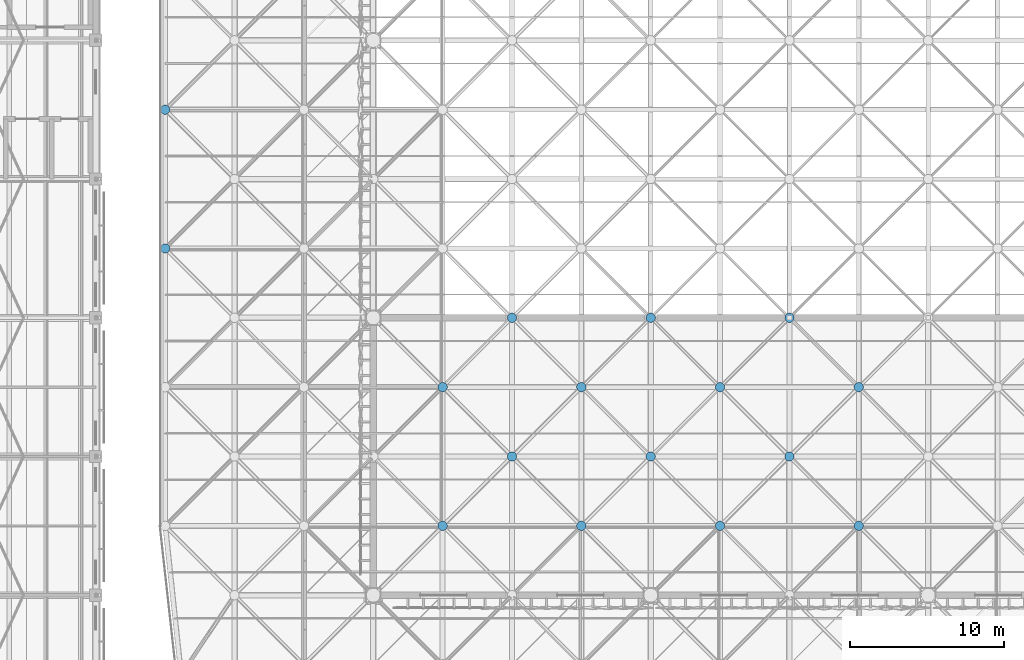
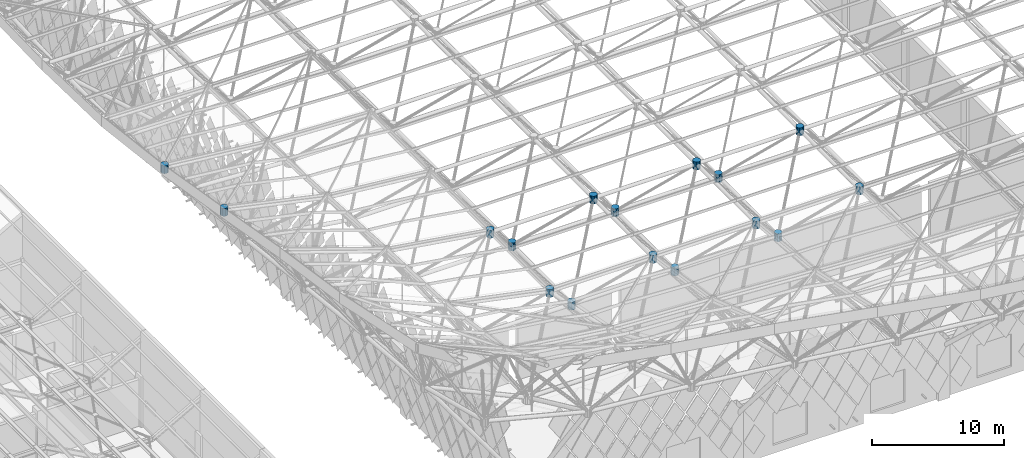
# One storey, part 290 of 437: 16 discrete accessories.
"""IFC4 building model written with IfcOpenShell, lengths in metres."""

import ifcopenshell
import ifcopenshell.guid

model = None  # the IFC model being written
_history = None  # IfcOwnerHistory: only IFC2X3 demands one
_inside = {}  # id of a spatial element -> (the spatial element, [elements in it])
_under = {}  # id of a project, library or spatial element -> (it, [spatial elements below it])
_declared = {}  # id of a project -> (the project, [libraries it declares])
_typed = {}  # id of a type object -> (the type object, [elements of that type])
_made_of = {}  # id of a material, layer set ... -> (it, [elements and type objects made of it])


def new_model(schema):
    """Start an empty IFC model of exactly this schema.

    Asked for "IFC4X3", IfcOpenShell would pick the latest addendum, in which some entities
    have other attributes; the version numbers below select the first issue.
    IFC2X3 requires an IfcOwnerHistory on every rooted entity: one is made here for all.
    """
    global model, _history
    if schema == "IFC4X3":
        model = ifcopenshell.file(schema_version=(4, 3, 0, 0))
    else:
        model = ifcopenshell.file(schema=schema)
    _inside.clear()
    _under.clear()
    _declared.clear()
    _typed.clear()
    _made_of.clear()
    _history = None
    if model.schema == "IFC2X3":
        org = make("IfcOrganization", Name="unknown")
        user = make(
            "IfcPersonAndOrganization",
            ThePerson=make("IfcPerson", FamilyName="unknown"),
            TheOrganization=org,
        )
        app = make(
            "IfcApplication",
            ApplicationDeveloper=org,
            Version="unknown",
            ApplicationFullName="unknown",
            ApplicationIdentifier="unknown",
        )
        _history = make(
            "IfcOwnerHistory",
            OwningUser=user,
            OwningApplication=app,
            ChangeAction="ADDED",
            CreationDate=0,
        )
    return model


def make(cls, **values):
    """One entity of the class cls with the attributes given. An attribute that is None is left unset."""
    return model.create_entity(
        cls, **{name: value for name, value in values.items() if value is not None}
    )


def rooted(cls, **values):
    """An entity with a GlobalId (a new one), such as an element, a storey or a relation."""
    return make(cls, GlobalId=ifcopenshell.guid.new(), OwnerHistory=_history, **values)


def si_unit(unit_type, name, prefix=None):
    """IfcSIUnit, for example si_unit("LENGTHUNIT", "METRE", prefix="MILLI")."""
    return make("IfcSIUnit", UnitType=unit_type, Prefix=prefix, Name=name)


def assignment(units):
    """IfcUnitAssignment: the units of a project."""
    return None if units is None else make("IfcUnitAssignment", Units=units)


def point(xyz):
    """IfcCartesianPoint."""
    return None if xyz is None else make("IfcCartesianPoint", Coordinates=xyz)


def direction(xyz):
    """IfcDirection."""
    return None if xyz is None else make("IfcDirection", DirectionRatios=xyz)


def frame(location, z_axis=None, x_axis=None):
    """IfcAxis2Placement3D, a coordinate frame: its origin and axes. An axis left out is left unset."""
    return make(
        "IfcAxis2Placement3D",
        Location=point(location),
        Axis=direction(z_axis),
        RefDirection=direction(x_axis),
    )


def origin():
    """The frame at (0, 0, 0) with its axes left unset."""
    return frame((0.0, 0.0, 0.0))


def place(relative_to, where):
    """IfcLocalPlacement: puts the frame where relative to a parent placement (None: the world)."""
    return make(
        "IfcLocalPlacement", PlacementRelTo=relative_to, RelativePlacement=where
    )


def context(
    kind, dimensions, precision=None, world=None, true_north=None, identifier=None
):
    """IfcGeometricRepresentationContext, for example the 3D "Model" context."""
    return make(
        "IfcGeometricRepresentationContext",
        ContextIdentifier=identifier,
        ContextType=kind,
        CoordinateSpaceDimension=dimensions,
        Precision=precision,
        WorldCoordinateSystem=world,
        TrueNorth=true_north,
    )


def subcontext(parent, identifier, kind, view, scale=None):
    """IfcGeometricRepresentationSubContext, for example "Body" below "Model"."""
    return make(
        "IfcGeometricRepresentationSubContext",
        ContextIdentifier=identifier,
        ContextType=kind,
        ParentContext=parent,
        TargetScale=scale,
        TargetView=view,
    )


def project(units=None, contexts=None):
    """IfcProject with its units and contexts."""
    return rooted(
        "IfcProject",
        Name="project",
        RepresentationContexts=contexts,
        UnitsInContext=assignment(units),
    )


def spatial(cls, under=None, at=None, **own):
    """A site, building, storey or space (cls), placed at a placement, below another one or the project."""
    s = rooted(cls, ObjectPlacement=at, **own)
    if under is not None:
        _under.setdefault(under.id(), (under, []))[1].append(s)
    return s


def polyline(points):
    """IfcPolyline through the points."""
    return make("IfcPolyline", Points=[point(p) for p in points])


def outline(outer, holes=None, kind="AREA"):
    """IfcArbitraryClosedProfileDef: a profile drawn as a closed curve; with holes, ...WithVoids."""
    if holes is None:
        return make("IfcArbitraryClosedProfileDef", ProfileType=kind, OuterCurve=outer)
    return make(
        "IfcArbitraryProfileDefWithVoids",
        ProfileType=kind,
        OuterCurve=outer,
        InnerCurves=holes,
    )


def extrude(swept, where, along, depth):
    """IfcExtrudedAreaSolid: the profile swept, set in the frame where, extruded along a direction by depth."""
    return make(
        "IfcExtrudedAreaSolid",
        SweptArea=swept,
        Position=where,
        ExtrudedDirection=direction(along),
        Depth=depth,
    )


def shape(context_of_items, identifier, shape_type, items):
    """IfcShapeRepresentation: the items that make up one representation, for example the "Body"."""
    return make(
        "IfcShapeRepresentation",
        ContextOfItems=context_of_items,
        RepresentationIdentifier=identifier,
        RepresentationType=shape_type,
        Items=items,
    )


def material(Name=None, Category=None):
    """IfcMaterial."""
    return make("IfcMaterial", Name=Name, Category=Category)


def made_of(thing, what):
    """Note that an element or type object is made of a material, layer set ...; save() writes the relation."""
    if what is not None:
        _made_of.setdefault(what.id(), (what, []))[1].append(thing)
    return thing


def type_object(cls, material=None, **own):
    """A type object (cls), such as IfcWallType, which elements share."""
    return made_of(rooted(cls, **own), material)


def element(
    cls,
    number,
    at=None,
    inside=None,
    cuts=None,
    type_object=None,
    material=None,
    context=None,
    identifier="Body",
    shape_type=None,
    held_by="IfcProductDefinitionShape",
    body=None,
    shapes=None,
    **own,
):
    """One element of the class cls, such as IfcWall. Its Tag is "e" and its number.

    at: its placement. inside: the storey or other place that contains it. cuts: it is an
    opening in that element (IfcRelVoidsElement). A single representation is given by context,
    identifier, shape_type and body (its items); several are given by shapes. held_by: the class
    of the entity that holds the representations. save() writes the other relations.
    """
    e = rooted(cls, Tag="e%d" % number, ObjectPlacement=at, **own)
    if body is not None:
        shapes = [shape(context, identifier, shape_type, body)]
    if shapes is not None:
        e.Representation = make(held_by, Representations=shapes)
    if inside is not None:
        _inside.setdefault(inside.id(), (inside, []))[1].append(e)
    if cuts is not None:
        rooted(
            "IfcRelVoidsElement", RelatingBuildingElement=cuts, RelatedOpeningElement=e
        )
    if type_object is not None:
        _typed.setdefault(type_object.id(), (type_object, []))[1].append(e)
    return made_of(e, material)


def aggregate(whole, parts):
    """IfcRelAggregates: a whole, such as a stair, and the parts it consists of."""
    return rooted("IfcRelAggregates", RelatingObject=whole, RelatedObjects=parts)


def save(model, path):
    """Write the relations noted so far, then the file.

    IfcRelAggregates (storeys below a building ...), IfcRelContainedInSpatialStructure (elements
    in a storey), IfcRelDefinesByType, IfcRelAssociatesMaterial and IfcRelDeclares: one each for
    every whole, place, type object, material and project.
    """
    for whole, parts in _under.values():
        aggregate(whole, parts)
    for where, things in _inside.values():
        rooted(
            "IfcRelContainedInSpatialStructure",
            RelatedElements=things,
            RelatingStructure=where,
        )
    for kind, things in _typed.values():
        rooted("IfcRelDefinesByType", RelatedObjects=things, RelatingType=kind)
    for what, things in _made_of.values():
        rooted("IfcRelAssociatesMaterial", RelatedObjects=things, RelatingMaterial=what)
    for by, libraries in _declared.values():
        rooted("IfcRelDeclares", RelatingContext=by, RelatedDefinitions=libraries)
    model.write(path)


model = new_model("IFC4")

# Units and contexts
model_context = context("Model", 3, precision=1e-05, world=origin(), true_north=direction((0.0, 1.0)))
body_context = subcontext(model_context, "Body", "Model", "MODEL_VIEW")
ifc_project = project(units=[si_unit("LENGTHUNIT", "METRE"), si_unit("AREAUNIT", "SQUARE_METRE"), si_unit("VOLUMEUNIT", "CUBIC_METRE"), si_unit("PLANEANGLEUNIT", "RADIAN"), si_unit("MASSUNIT", "GRAM", prefix="KILO")], contexts=[model_context])

# Site, building, storey
site_placement = place(None, origin())
site = spatial("IfcSite", under=ifc_project, at=site_placement, CompositionType="ELEMENT")
building_placement = place(site_placement, origin())
building = spatial("IfcBuilding", under=site, at=building_placement, Name="Opaline Strait Convention Centre", CompositionType="ELEMENT")
storey_placement = place(building_placement, frame((0.0, 0.0, 11.5)))
storey = spatial("IfcBuildingStorey", under=building, at=storey_placement, Name="L02", CompositionType="ELEMENT", Elevation=11.5)

# Discrete accessories
ifc_material = material(Name="Cast steel ZG300-500H (300 MPa)", Category="steel")
discrete_accessory_type = type_object("IfcDiscreteAccessoryType", Name="Space frame node hub D600", PredefinedType="USERDEFINED", material=ifc_material)
discrete_accessory_1_placement = place(storey_placement, frame((0.0, 0.0, 20.478759765625)))
element("IfcDiscreteAccessory", 1, at=discrete_accessory_1_placement, inside=storey, type_object=discrete_accessory_type, Name="Top node 1/5", ObjectType="NODE HUB", PredefinedType="USERDEFINED", context=body_context, shape_type="SweptSolid", body=[
    extrude(outline(polyline([(85.800048828125, 76.559814453125), (85.75439453125, 76.669921875), (85.669921875, 76.75439453125), (85.559814453125, 76.800048828125), (85.440185546875, 76.800048828125), (85.330078125, 76.75439453125), (85.24560546875, 76.669921875), (85.199951171875, 76.559814453125), (85.199951171875, 76.440185546875), (85.24560546875, 76.330078125), (85.330078125, 76.24560546875), (85.440185546875, 76.199951171875), (85.559814453125, 76.199951171875), (85.669921875, 76.24560546875), (85.75439453125, 76.330078125), (85.800048828125, 76.440185546875), (85.800048828125, 76.559814453125)])), origin(), (0.0, 0.0, 1.0), 0.719970703125),
])
discrete_accessory_2_placement = place(storey_placement, frame((0.0, 0.0, 18.951416015625)))
element("IfcDiscreteAccessory", 2, at=discrete_accessory_2_placement, inside=storey, type_object=discrete_accessory_type, Name="Top node 1/6", ObjectType="NODE HUB", PredefinedType="USERDEFINED", context=body_context, shape_type="SweptSolid", body=[
    extrude(outline(polyline([(85.800048828125, 85.559814453125), (85.75439453125, 85.669921875), (85.669921875, 85.75439453125), (85.559814453125, 85.800048828125), (85.440185546875, 85.800048828125), (85.330078125, 85.75439453125), (85.24560546875, 85.669921875), (85.199951171875, 85.559814453125), (85.199951171875, 85.440185546875), (85.24560546875, 85.330078125), (85.330078125, 85.24560546875), (85.440185546875, 85.199951171875), (85.559814453125, 85.199951171875), (85.669921875, 85.24560546875), (85.75439453125, 85.330078125), (85.800048828125, 85.440185546875), (85.800048828125, 85.559814453125)])), origin(), (0.0, 0.0, 1.0), 0.719970703125),
])
discrete_accessory_3_placement = place(storey_placement, frame((0.0, 0.0, 17.611572265625)))
element("IfcDiscreteAccessory", 3, at=discrete_accessory_3_placement, inside=storey, type_object=discrete_accessory_type, Name="Top node 3/3", ObjectType="NODE HUB", PredefinedType="USERDEFINED", context=body_context, shape_type="SweptSolid", body=[
    extrude(outline(polyline([(103.800048828125, 58.559814453125), (103.75439453125, 58.669921875), (103.669921875, 58.75439453125), (103.559814453125, 58.800048828125), (103.440185546875, 58.800048828125), (103.330078125, 58.75439453125), (103.24560546875, 58.669921875), (103.199951171875, 58.559814453125), (103.199951171875, 58.440185546875), (103.24560546875, 58.330078125), (103.330078125, 58.24560546875), (103.440185546875, 58.199951171875), (103.559814453125, 58.199951171875), (103.669921875, 58.24560546875), (103.75439453125, 58.330078125), (103.800048828125, 58.440185546875), (103.800048828125, 58.559814453125)])), origin(), (0.0, 0.0, 1.0), 0.719970703125),
])
discrete_accessory_4_placement = place(storey_placement, frame((0.0, 0.0, 17.611572265625)))
element("IfcDiscreteAccessory", 4, at=discrete_accessory_4_placement, inside=storey, type_object=discrete_accessory_type, Name="Top node 3/4", ObjectType="NODE HUB", PredefinedType="USERDEFINED", context=body_context, shape_type="SweptSolid", body=[
    extrude(outline(polyline([(103.800048828125, 67.559814453125), (103.75439453125, 67.669921875), (103.669921875, 67.75439453125), (103.559814453125, 67.800048828125), (103.440185546875, 67.800048828125), (103.330078125, 67.75439453125), (103.24560546875, 67.669921875), (103.199951171875, 67.559814453125), (103.199951171875, 67.440185546875), (103.24560546875, 67.330078125), (103.330078125, 67.24560546875), (103.440185546875, 67.199951171875), (103.559814453125, 67.199951171875), (103.669921875, 67.24560546875), (103.75439453125, 67.330078125), (103.800048828125, 67.440185546875), (103.800048828125, 67.559814453125)])), origin(), (0.0, 0.0, 1.0), 0.719970703125),
])
discrete_accessory_5_placement = place(storey_placement, frame((0.0, 0.0, 17.611572265625)))
element("IfcDiscreteAccessory", 5, at=discrete_accessory_5_placement, inside=storey, type_object=discrete_accessory_type, Name="Top node 4/3", ObjectType="NODE HUB", PredefinedType="USERDEFINED", context=body_context, shape_type="SweptSolid", body=[
    extrude(outline(polyline([(112.800048828125, 58.559814453125), (112.75439453125, 58.669921875), (112.669921875, 58.75439453125), (112.559814453125, 58.800048828125), (112.440185546875, 58.800048828125), (112.330078125, 58.75439453125), (112.24560546875, 58.669921875), (112.199951171875, 58.559814453125), (112.199951171875, 58.440185546875), (112.24560546875, 58.330078125), (112.330078125, 58.24560546875), (112.440185546875, 58.199951171875), (112.559814453125, 58.199951171875), (112.669921875, 58.24560546875), (112.75439453125, 58.330078125), (112.800048828125, 58.440185546875), (112.800048828125, 58.559814453125)])), origin(), (0.0, 0.0, 1.0), 0.719970703125),
])
discrete_accessory_6_placement = place(storey_placement, frame((0.0, 0.0, 17.611572265625)))
element("IfcDiscreteAccessory", 6, at=discrete_accessory_6_placement, inside=storey, type_object=discrete_accessory_type, Name="Top node 4/4", ObjectType="NODE HUB", PredefinedType="USERDEFINED", context=body_context, shape_type="SweptSolid", body=[
    extrude(outline(polyline([(112.800048828125, 67.559814453125), (112.75439453125, 67.669921875), (112.669921875, 67.75439453125), (112.559814453125, 67.800048828125), (112.440185546875, 67.800048828125), (112.330078125, 67.75439453125), (112.24560546875, 67.669921875), (112.199951171875, 67.559814453125), (112.199951171875, 67.440185546875), (112.24560546875, 67.330078125), (112.330078125, 67.24560546875), (112.440185546875, 67.199951171875), (112.559814453125, 67.199951171875), (112.669921875, 67.24560546875), (112.75439453125, 67.330078125), (112.800048828125, 67.440185546875), (112.800048828125, 67.559814453125)])), origin(), (0.0, 0.0, 1.0), 0.719970703125),
])
discrete_accessory_7_placement = place(storey_placement, frame((0.0, 0.0, 17.611572265625)))
element("IfcDiscreteAccessory", 7, at=discrete_accessory_7_placement, inside=storey, type_object=discrete_accessory_type, Name="Top node 5/3", ObjectType="NODE HUB", PredefinedType="USERDEFINED", context=body_context, shape_type="SweptSolid", body=[
    extrude(outline(polyline([(121.800048828125, 58.559814453125), (121.75439453125, 58.669921875), (121.669921875, 58.75439453125), (121.559814453125, 58.800048828125), (121.440185546875, 58.800048828125), (121.330078125, 58.75439453125), (121.24560546875, 58.669921875), (121.199951171875, 58.559814453125), (121.199951171875, 58.440185546875), (121.24560546875, 58.330078125), (121.330078125, 58.24560546875), (121.440185546875, 58.199951171875), (121.559814453125, 58.199951171875), (121.669921875, 58.24560546875), (121.75439453125, 58.330078125), (121.800048828125, 58.440185546875), (121.800048828125, 58.559814453125)])), origin(), (0.0, 0.0, 1.0), 0.719970703125),
])
discrete_accessory_8_placement = place(storey_placement, frame((0.0, 0.0, 17.611572265625)))
element("IfcDiscreteAccessory", 8, at=discrete_accessory_8_placement, inside=storey, type_object=discrete_accessory_type, Name="Top node 5/4", ObjectType="NODE HUB", PredefinedType="USERDEFINED", context=body_context, shape_type="SweptSolid", body=[
    extrude(outline(polyline([(121.800048828125, 67.559814453125), (121.75439453125, 67.669921875), (121.669921875, 67.75439453125), (121.559814453125, 67.800048828125), (121.440185546875, 67.800048828125), (121.330078125, 67.75439453125), (121.24560546875, 67.669921875), (121.199951171875, 67.559814453125), (121.199951171875, 67.440185546875), (121.24560546875, 67.330078125), (121.330078125, 67.24560546875), (121.440185546875, 67.199951171875), (121.559814453125, 67.199951171875), (121.669921875, 67.24560546875), (121.75439453125, 67.330078125), (121.800048828125, 67.440185546875), (121.800048828125, 67.559814453125)])), origin(), (0.0, 0.0, 1.0), 0.719970703125),
])
discrete_accessory_9_placement = place(storey_placement, frame((0.0, 0.0, 17.611572265625)))
element("IfcDiscreteAccessory", 9, at=discrete_accessory_9_placement, inside=storey, type_object=discrete_accessory_type, Name="Top node 6/3", ObjectType="NODE HUB", PredefinedType="USERDEFINED", context=body_context, shape_type="SweptSolid", body=[
    extrude(outline(polyline([(130.800048828125, 58.559814453125), (130.75439453125, 58.669921875), (130.669921875, 58.75439453125), (130.559814453125, 58.800048828125), (130.440185546875, 58.800048828125), (130.330078125, 58.75439453125), (130.24560546875, 58.669921875), (130.199951171875, 58.559814453125), (130.199951171875, 58.440185546875), (130.24560546875, 58.330078125), (130.330078125, 58.24560546875), (130.440185546875, 58.199951171875), (130.559814453125, 58.199951171875), (130.669921875, 58.24560546875), (130.75439453125, 58.330078125), (130.800048828125, 58.440185546875), (130.800048828125, 58.559814453125)])), origin(), (0.0, 0.0, 1.0), 0.719970703125),
])
discrete_accessory_10_placement = place(storey_placement, frame((0.0, 0.0, 17.611572265625)))
element("IfcDiscreteAccessory", 10, at=discrete_accessory_10_placement, inside=storey, type_object=discrete_accessory_type, Name="Top node 6/4", ObjectType="NODE HUB", PredefinedType="USERDEFINED", context=body_context, shape_type="SweptSolid", body=[
    extrude(outline(polyline([(130.800048828125, 67.559814453125), (130.75439453125, 67.669921875), (130.669921875, 67.75439453125), (130.559814453125, 67.800048828125), (130.440185546875, 67.800048828125), (130.330078125, 67.75439453125), (130.24560546875, 67.669921875), (130.199951171875, 67.559814453125), (130.199951171875, 67.440185546875), (130.24560546875, 67.330078125), (130.330078125, 67.24560546875), (130.440185546875, 67.199951171875), (130.559814453125, 67.199951171875), (130.669921875, 67.24560546875), (130.75439453125, 67.330078125), (130.800048828125, 67.440185546875), (130.800048828125, 67.559814453125)])), origin(), (0.0, 0.0, 1.0), 0.719970703125),
])
discrete_accessory_11_placement = place(storey_placement, frame((0.0, 0.0, 12.139892578125)))
element("IfcDiscreteAccessory", 11, at=discrete_accessory_11_placement, inside=storey, type_object=discrete_accessory_type, Name="Bottom node 3/3", ObjectType="NODE HUB", PredefinedType="USERDEFINED", context=body_context, shape_type="SweptSolid", body=[
    extrude(outline(polyline([(108.300048828125, 63.059814453125), (108.25439453125, 63.169921875), (108.169921875, 63.25439453125), (108.059814453125, 63.300048828125), (107.940185546875, 63.300048828125), (107.830078125, 63.25439453125), (107.74560546875, 63.169921875), (107.699951171875, 63.059814453125), (107.699951171875, 62.940185546875), (107.74560546875, 62.830078125), (107.830078125, 62.74560546875), (107.940185546875, 62.699951171875), (108.059814453125, 62.699951171875), (108.169921875, 62.74560546875), (108.25439453125, 62.830078125), (108.300048828125, 62.940185546875), (108.300048828125, 63.059814453125)])), origin(), (0.0, 0.0, 1.0), 0.72021484375),
])
discrete_accessory_12_placement = place(storey_placement, frame((0.0, 0.0, 12.139892578125)))
element("IfcDiscreteAccessory", 12, at=discrete_accessory_12_placement, inside=storey, type_object=discrete_accessory_type, Name="Bottom node 3/4", ObjectType="NODE HUB", PredefinedType="USERDEFINED", context=body_context, shape_type="SweptSolid", body=[
    extrude(outline(polyline([(108.300048828125, 72.059814453125), (108.25439453125, 72.169921875), (108.169921875, 72.25439453125), (108.059814453125, 72.300048828125), (107.940185546875, 72.300048828125), (107.830078125, 72.25439453125), (107.74560546875, 72.169921875), (107.699951171875, 72.059814453125), (107.699951171875, 71.940185546875), (107.74560546875, 71.830078125), (107.830078125, 71.74560546875), (107.940185546875, 71.699951171875), (108.059814453125, 71.699951171875), (108.169921875, 71.74560546875), (108.25439453125, 71.830078125), (108.300048828125, 71.940185546875), (108.300048828125, 72.059814453125)])), origin(), (0.0, 0.0, 1.0), 0.72021484375),
])
discrete_accessory_13_placement = place(storey_placement, frame((0.0, 0.0, 12.139892578125)))
element("IfcDiscreteAccessory", 13, at=discrete_accessory_13_placement, inside=storey, type_object=discrete_accessory_type, Name="Bottom node 4/3", ObjectType="NODE HUB", PredefinedType="USERDEFINED", context=body_context, shape_type="SweptSolid", body=[
    extrude(outline(polyline([(117.300048828125, 63.059814453125), (117.25439453125, 63.169921875), (117.169921875, 63.25439453125), (117.059814453125, 63.300048828125), (116.940185546875, 63.300048828125), (116.830078125, 63.25439453125), (116.74560546875, 63.169921875), (116.699951171875, 63.059814453125), (116.699951171875, 62.940185546875), (116.74560546875, 62.830078125), (116.830078125, 62.74560546875), (116.940185546875, 62.699951171875), (117.059814453125, 62.699951171875), (117.169921875, 62.74560546875), (117.25439453125, 62.830078125), (117.300048828125, 62.940185546875), (117.300048828125, 63.059814453125)])), origin(), (0.0, 0.0, 1.0), 0.72021484375),
])
discrete_accessory_14_placement = place(storey_placement, frame((0.0, 0.0, 12.139892578125)))
element("IfcDiscreteAccessory", 14, at=discrete_accessory_14_placement, inside=storey, type_object=discrete_accessory_type, Name="Bottom node 4/4", ObjectType="NODE HUB", PredefinedType="USERDEFINED", context=body_context, shape_type="SweptSolid", body=[
    extrude(outline(polyline([(117.300048828125, 72.059814453125), (117.25439453125, 72.169921875), (117.169921875, 72.25439453125), (117.059814453125, 72.300048828125), (116.940185546875, 72.300048828125), (116.830078125, 72.25439453125), (116.74560546875, 72.169921875), (116.699951171875, 72.059814453125), (116.699951171875, 71.940185546875), (116.74560546875, 71.830078125), (116.830078125, 71.74560546875), (116.940185546875, 71.699951171875), (117.059814453125, 71.699951171875), (117.169921875, 71.74560546875), (117.25439453125, 71.830078125), (117.300048828125, 71.940185546875), (117.300048828125, 72.059814453125)])), origin(), (0.0, 0.0, 1.0), 0.72021484375),
])
discrete_accessory_15_placement = place(storey_placement, frame((0.0, 0.0, 12.139892578125)))
element("IfcDiscreteAccessory", 15, at=discrete_accessory_15_placement, inside=storey, type_object=discrete_accessory_type, Name="Bottom node 5/3", ObjectType="NODE HUB", PredefinedType="USERDEFINED", context=body_context, shape_type="SweptSolid", body=[
    extrude(outline(polyline([(126.300048828125, 63.059814453125), (126.25439453125, 63.169921875), (126.169921875, 63.25439453125), (126.059814453125, 63.300048828125), (125.940185546875, 63.300048828125), (125.830078125, 63.25439453125), (125.74560546875, 63.169921875), (125.699951171875, 63.059814453125), (125.699951171875, 62.940185546875), (125.74560546875, 62.830078125), (125.830078125, 62.74560546875), (125.940185546875, 62.699951171875), (126.059814453125, 62.699951171875), (126.169921875, 62.74560546875), (126.25439453125, 62.830078125), (126.300048828125, 62.940185546875), (126.300048828125, 63.059814453125)])), origin(), (0.0, 0.0, 1.0), 0.72021484375),
])
discrete_accessory_16_placement = place(storey_placement, frame((0.0, 0.0, 12.139892578125)))
element("IfcDiscreteAccessory", 16, at=discrete_accessory_16_placement, inside=storey, type_object=discrete_accessory_type, Name="Bottom node 5/4", ObjectType="NODE HUB", PredefinedType="USERDEFINED", context=body_context, shape_type="SweptSolid", body=[
    extrude(outline(polyline([(126.300048828125, 72.059814453125), (126.25439453125, 72.169921875), (126.169921875, 72.25439453125), (126.059814453125, 72.300048828125), (125.940185546875, 72.300048828125), (125.830078125, 72.25439453125), (125.74560546875, 72.169921875), (125.699951171875, 72.059814453125), (125.699951171875, 71.940185546875), (125.74560546875, 71.830078125), (125.830078125, 71.74560546875), (125.940185546875, 71.699951171875), (126.059814453125, 71.699951171875), (126.169921875, 71.74560546875), (126.25439453125, 71.830078125), (126.300048828125, 71.940185546875), (126.300048828125, 72.059814453125)])), origin(), (0.0, 0.0, 1.0), 0.72021484375),
])

save(model, "model.ifc")
